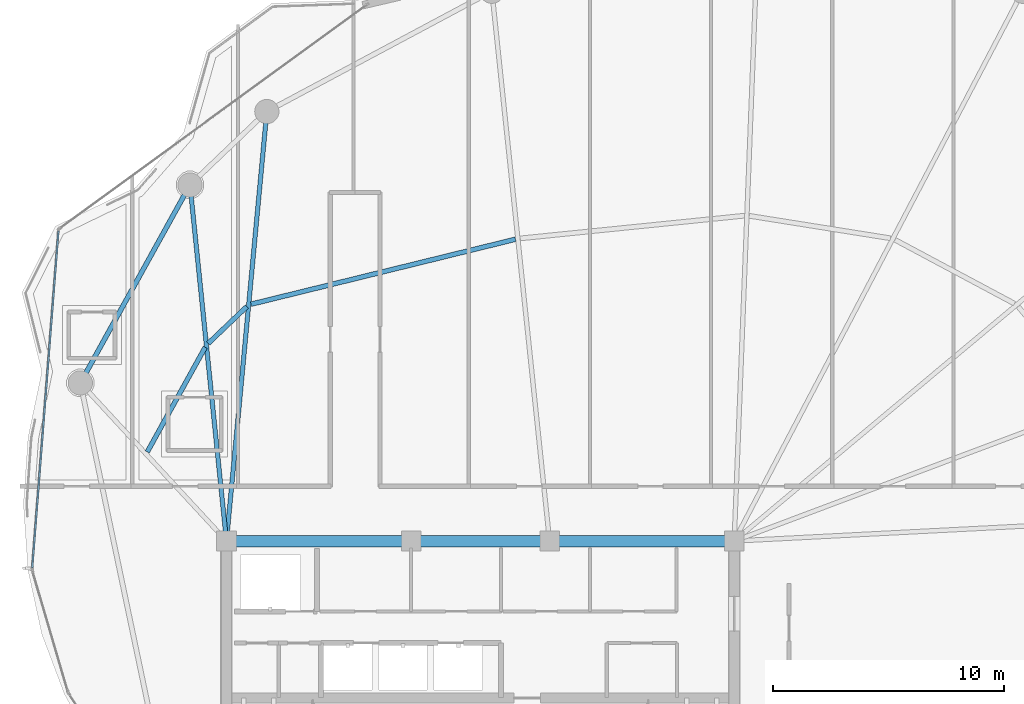
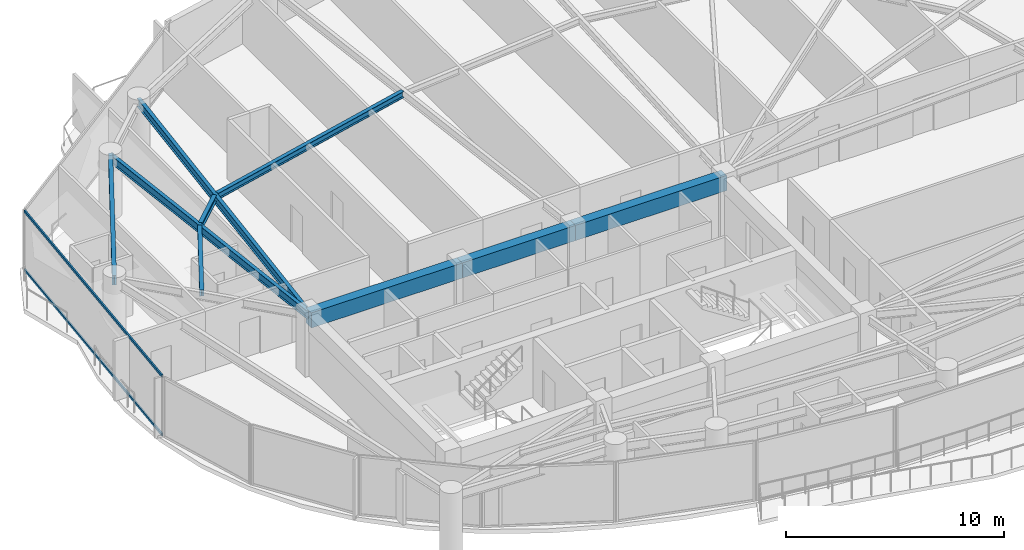
# One storey, part 9 of 31: 9 beams, 2 members, 1 element without a shape of its own.
"""IFC4 building model written with IfcOpenShell, lengths in metres."""

from ifc_helpers import new_model, si_unit, direction, frame, origin, origin_2d, place, context, subcontext, project, spatial, rectangle, hollow_rectangle, i_section, extrude, material, layer, layer_set, material_profile, profile_set, type_object, element, aggregate, save


model = new_model("IFC4")

# Units and contexts
model_context = context("Model", 3, precision=1e-05, world=origin(), true_north=direction((0.0, 1.0)))
body_context = subcontext(model_context, "Body", "Model", "MODEL_VIEW")
ifc_project = project(units=[si_unit("LENGTHUNIT", "METRE"), si_unit("AREAUNIT", "SQUARE_METRE"), si_unit("VOLUMEUNIT", "CUBIC_METRE"), si_unit("PLANEANGLEUNIT", "RADIAN"), si_unit("MASSUNIT", "GRAM", prefix="KILO")], contexts=[model_context])

# Site, building, storey
site_placement = place(None, origin())
site = spatial("IfcSite", under=ifc_project, at=site_placement, CompositionType="ELEMENT")
building_placement = place(site_placement, origin())
building = spatial("IfcBuilding", under=site, at=building_placement, Name="Kazevale Care Tower and Concert Hall", CompositionType="ELEMENT")
storey_placement = place(building_placement, frame((0.0, 0.0, 238.800048828125)))
storey = spatial("IfcBuildingStorey", under=building, at=storey_placement, Name="L63", CompositionType="ELEMENT", Elevation=238.800048828125)

# Curtain wall, members
ifc_material_1 = material(Name="Aluminium 6063-T6 and Low-E Glass", Category="aluminium")
ifc_layer = layer(ifc_material_1, 0.179931640625)
ifc_layer_set = layer_set([ifc_layer], Name="Aluminium 6063-T6 and Low-E Glass")
curtain_wall_type = type_object("IfcCurtainWallType", Name="Waist & Upper Residential Curtain Wall CW-4", PredefinedType="NOTDEFINED", material=ifc_layer_set)
curtain_wall_placement = place(storey_placement, origin())
curtain_wall = element("IfcCurtainWall", 1, at=curtain_wall_placement, inside=storey, type_object=curtain_wall_type, Name="cw:L63:f13", PredefinedType="NOTDEFINED")
ifc_material_2 = material(Name="Aluminium 6063-T6", Category="aluminium")
ifc_material_profile_1 = material_profile(ifc_material_2, hollow_rectangle(XDim=0.080078125, YDim=0.139892578125, WallThickness=0.00390625, at=origin_2d()), Name="ALU80x140x4")
ifc_profile_set_1 = profile_set([ifc_material_profile_1], Name="Aluminium 6063-T6")
member_type = type_object("IfcMemberType", Name="CW-4 Transom ALU80x140x4", PredefinedType="USERDEFINED", material=ifc_profile_set_1)
member_1_placement = place(storey_placement, frame((13.585205078125, 35.23681640625, 0.0400390625), z_axis=(0.077534740898, 0.996989650876, 0.0), x_axis=(-0.996989650876, 0.077534740898, 0.0)))
member_1 = element("IfcMember", 2, at=member_1_placement, type_object=member_type, Name="CW-4 transom 1.1", ObjectType="TRANSOM", PredefinedType="USERDEFINED", context=body_context, shape_type="SweptSolid", body=[
    extrude(hollow_rectangle(XDim=0.080078125, YDim=0.139892578125, WallThickness=0.00390625, at=origin_2d()), origin(), (0.0, 0.0, 1.0), 14.63232421875),
])
member_2_placement = place(storey_placement, frame((13.585205078125, 35.23681640625, 3.320068359375), z_axis=(0.077534740898, 0.996989650876, 0.0), x_axis=(-0.996989650876, 0.077534740898, 0.0)))
member_2 = element("IfcMember", 3, at=member_2_placement, type_object=member_type, Name="CW-4 transom 1.2", ObjectType="TRANSOM", PredefinedType="USERDEFINED", context=body_context, shape_type="SweptSolid", body=[
    extrude(hollow_rectangle(XDim=0.080078125, YDim=0.139892578125, WallThickness=0.00390625, at=origin_2d()), origin(), (0.0, 0.0, 1.0), 14.63232421875),
])
aggregate(curtain_wall, [member_1, member_2])

# Beams
ifc_material_3 = material(Name="Concrete C60", Category="concrete")
ifc_material_profile_2 = material_profile(ifc_material_3, rectangle(XDim=0.5, YDim=0.85009765625, at=origin_2d()), Name="RC-B500x850")
ifc_profile_set_2 = profile_set([ifc_material_profile_2], Name="Concrete C60")
beam_type_1 = type_object("IfcBeamType", Name="Core Coupling Beam RC500x850", PredefinedType="LINTEL", material=ifc_profile_set_2)
beam_1_placement = place(storey_placement, frame((44.0, 36.39990234375, 2.93505859375), z_axis=(-1.0, 0.0, 0.0), x_axis=(0.0, -1.0, 0.0)))
element("IfcBeam", 4, at=beam_1_placement, inside=storey, type_object=beam_type_1, Name="beam:L63:coretie:5", PredefinedType="LINTEL", context=body_context, shape_type="SweptSolid", body=[
    extrude(rectangle(XDim=0.5, YDim=0.85009765625, at=origin_2d()), origin(), (0.0, 0.0, 1.0), 8.0),
])
beam_2_placement = place(storey_placement, frame((36.0, 36.39990234375, 2.93505859375), z_axis=(-1.0, 0.0, 0.0), x_axis=(0.0, -1.0, 0.0)))
element("IfcBeam", 5, at=beam_2_placement, inside=storey, type_object=beam_type_1, Name="beam:L63:coretie:6", PredefinedType="LINTEL", context=body_context, shape_type="SweptSolid", body=[
    extrude(rectangle(XDim=0.5, YDim=0.85009765625, at=origin_2d()), origin(), (0.0, 0.0, 1.0), 6.0),
])
beam_3_placement = place(storey_placement, frame((30.0, 36.39990234375, 2.93505859375), z_axis=(-1.0, 0.0, 0.0), x_axis=(0.0, -1.0, 0.0)))
element("IfcBeam", 6, at=beam_3_placement, inside=storey, type_object=beam_type_1, Name="beam:L63:coretie:7", PredefinedType="LINTEL", context=body_context, shape_type="SweptSolid", body=[
    extrude(rectangle(XDim=0.5, YDim=0.85009765625, at=origin_2d()), origin(), (0.0, 0.0, 1.0), 8.0),
])
ifc_material_4 = material(Name="Steel ASTM A572 Gr 50", Category="steel")
ifc_material_profile_3 = material_profile(ifc_material_4, i_section(OverallWidth=0.19091796875, OverallDepth=0.4599609375, WebThickness=0.010009765625, FlangeThickness=0.01611328125, at=origin_2d()), Name="W460x82")
ifc_profile_set_3 = profile_set([ifc_material_profile_3], Name="Steel ASTM A572 Gr 50")
beam_type_2 = type_object("IfcBeamType", Name="Radial Floor Beam W460x82", PredefinedType="BEAM", material=ifc_profile_set_3)
beam_4_placement = place(storey_placement, frame((22.0, 36.39990234375, 3.1298828125), z_axis=(0.093621904075, 0.995607823933, 0.0), x_axis=(-0.995607823933, 0.093621904075, 0.0)))
element("IfcBeam", 7, at=beam_4_placement, inside=storey, type_object=beam_type_2, Name="beam:L63:rad:07", PredefinedType="BEAM", context=body_context, shape_type="SweptSolid", body=[
    extrude(i_section(OverallWidth=0.19091796875, OverallDepth=0.4599609375, WebThickness=0.010009765625, FlangeThickness=0.01611328125, at=origin_2d()), origin(), (0.0, 0.0, 1.0), 18.692138671875),
])
beam_5_placement = place(storey_placement, frame((22.0, 36.39990234375, 3.1298828125), z_axis=(-0.101869109083, 0.994797810922, 0.0), x_axis=(-0.994797810922, -0.101869109083, 0.0)))
element("IfcBeam", 8, at=beam_5_placement, inside=storey, type_object=beam_type_2, Name="beam:L63:rad:08", PredefinedType="BEAM", context=body_context, shape_type="SweptSolid", body=[
    extrude(i_section(OverallWidth=0.19091796875, OverallDepth=0.4599609375, WebThickness=0.010009765625, FlangeThickness=0.01611328125, at=origin_2d()), origin(), (0.0, 0.0, 1.0), 15.510986328125),
])
ifc_material_profile_4 = material_profile(ifc_material_4, i_section(OverallWidth=0.205078125, OverallDepth=0.35400390625, WebThickness=0.009521484375, FlangeThickness=0.016845703125, at=origin_2d()), Name="W360x79")
ifc_profile_set_4 = profile_set([ifc_material_profile_4], Name="Steel ASTM A572 Gr 50")
beam_type_3 = type_object("IfcBeamType", Name="Secondary Floor Joist W360x79", PredefinedType="JOIST", material=ifc_profile_set_4)
beam_6_placement = place(storey_placement, frame((34.52294921875, 49.47607421875, 3.182861328125), z_axis=(-0.971122715177, -0.238580535809, 0.0), x_axis=(0.238580535809, -0.971122715177, 0.0)))
element("IfcBeam", 9, at=beam_6_placement, inside=storey, type_object=beam_type_3, Name="beam:L63:joist:06", PredefinedType="JOIST", context=body_context, shape_type="SweptSolid", body=[
    extrude(i_section(OverallWidth=0.205078125, OverallDepth=0.35400390625, WebThickness=0.009521484375, FlangeThickness=0.016845703125, at=origin_2d()), origin(), (0.0, 0.0, 1.0), 11.7998046875),
])
beam_7_placement = place(storey_placement, frame((22.886962890625, 46.56298828125, 3.182861328125), z_axis=(-0.723262472539, -0.690573237114, 0.0), x_axis=(0.690573237114, -0.723262472539, 0.0)))
element("IfcBeam", 10, at=beam_7_placement, inside=storey, type_object=beam_type_3, Name="beam:L63:joist:07", PredefinedType="JOIST", context=body_context, shape_type="SweptSolid", body=[
    extrude(i_section(OverallWidth=0.205078125, OverallDepth=0.35400390625, WebThickness=0.009521484375, FlangeThickness=0.016845703125, at=origin_2d()), origin(), (0.0, 0.0, 1.0), 2.32275390625),
])
beam_8_placement = place(storey_placement, frame((21.080078125, 44.794921875, 3.182861328125), z_axis=(-0.484322963201, -0.874889288605, 0.0), x_axis=(0.874889288605, -0.484322963201, 0.0)))
element("IfcBeam", 11, at=beam_8_placement, inside=storey, type_object=beam_type_3, Name="beam:L63:joist:08", PredefinedType="JOIST", context=body_context, shape_type="SweptSolid", body=[
    extrude(i_section(OverallWidth=0.205078125, OverallDepth=0.35400390625, WebThickness=0.009521484375, FlangeThickness=0.016845703125, at=origin_2d()), origin(), (0.0, 0.0, 1.0), 5.1845703125),
])
ifc_material_profile_5 = material_profile(ifc_material_4, i_section(OverallWidth=0.208984375, OverallDepth=0.532958984375, WebThickness=0.01025390625, FlangeThickness=0.015625, at=origin_2d()), Name="W530x92")
ifc_profile_set_5 = profile_set([ifc_material_profile_5], Name="Steel ASTM A572 Gr 50")
beam_type_4 = type_object("IfcBeamType", Name="Upper Ring Beam W530x92", PredefinedType="BEAM", material=ifc_profile_set_5)
beam_9_placement = place(storey_placement, frame((20.419921875, 51.830078125, 3.093505859375), z_axis=(-0.484340382014, -0.874879645637, 0.0), x_axis=(0.874879645637, -0.484340382014, 0.0)))
element("IfcBeam", 12, at=beam_9_placement, inside=storey, type_object=beam_type_4, Name="beam:L63:ring:08", PredefinedType="BEAM", context=body_context, shape_type="SweptSolid", body=[
    extrude(i_section(OverallWidth=0.208984375, OverallDepth=0.532958984375, WebThickness=0.01025390625, FlangeThickness=0.015625, at=origin_2d()), origin(), (0.0, 0.0, 1.0), 9.80712890625),
])

save(model, "model.ifc")
